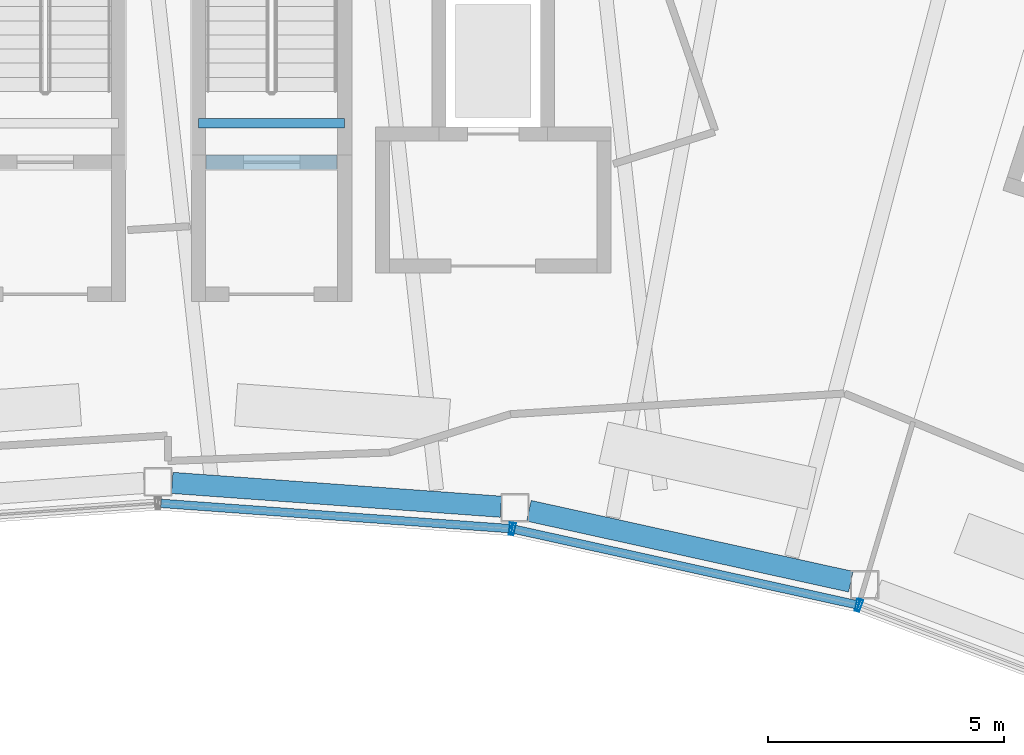
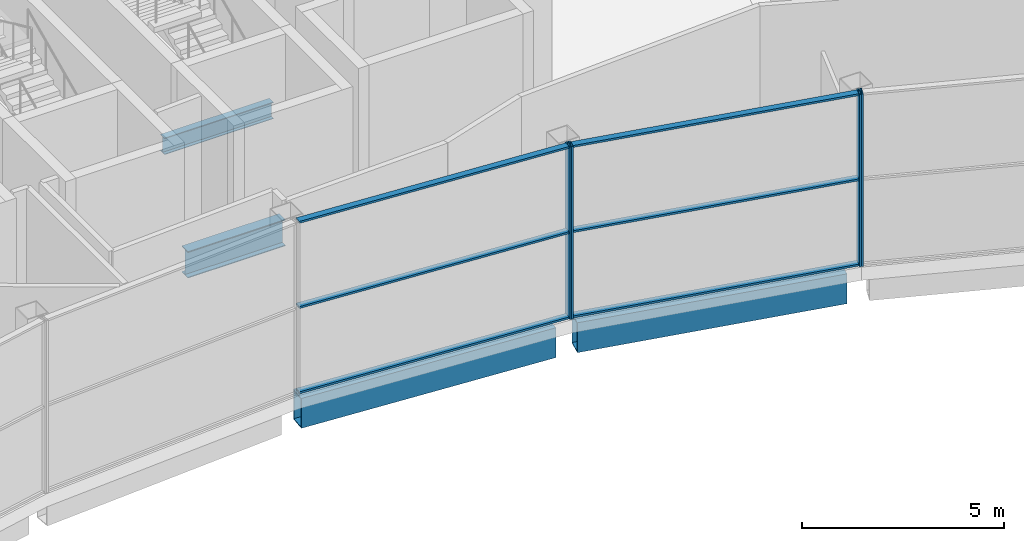
# One storey, part 20 of 44: 10 members, 4 beams, 3 elements without a shape of their own.
"""IFC4 building model written with IfcOpenShell, lengths in metres."""

from ifc_helpers import new_model, si_unit, direction, frame, origin, origin_2d, place, context, subcontext, project, spatial, hollow_rectangle, i_section, extrude, material, layer, layer_set, material_profile, profile_set, type_object, element, aggregate, save


model = new_model("IFC4")

# Units and contexts
model_context = context("Model", 3, precision=1e-05, world=origin(), true_north=direction((0.0, 1.0)))
body_context = subcontext(model_context, "Body", "Model", "MODEL_VIEW")
ifc_project = project(units=[si_unit("LENGTHUNIT", "METRE"), si_unit("AREAUNIT", "SQUARE_METRE"), si_unit("VOLUMEUNIT", "CUBIC_METRE"), si_unit("PLANEANGLEUNIT", "RADIAN"), si_unit("MASSUNIT", "GRAM", prefix="KILO")], contexts=[model_context])

# Site, building, storey
site_placement = place(None, origin())
site = spatial("IfcSite", under=ifc_project, at=site_placement, CompositionType="ELEMENT")
building_placement = place(site_placement, origin())
building = spatial("IfcBuilding", under=site, at=building_placement, Name="Tuul Gate Civic Tower", CompositionType="ELEMENT")
storey_placement = place(building_placement, frame((0.0, 0.0, 354.60009765625)))
storey = spatial("IfcBuildingStorey", under=building, at=storey_placement, Name="Observation level 2", CompositionType="ELEMENT", Elevation=354.60009765625)

# Curtain wall, member
ifc_material_1 = material(Name="Stainless steel", Category="steel")
ifc_layer = layer(ifc_material_1, 0.199951171875)
ifc_layer_set = layer_set([ifc_layer], Name="Stainless steel")
curtain_wall_type = type_object("IfcCurtainWallType", Name="Curtain wall CW4", PredefinedType="NOTDEFINED", material=ifc_layer_set)
curtain_wall_1_placement = place(storey_placement, origin())
curtain_wall_1 = element("IfcCurtainWall", 1, at=curtain_wall_1_placement, inside=storey, type_object=curtain_wall_type, Name="Curtain wall CW4", PredefinedType="NOTDEFINED")
ifc_material_2 = material(Name="Stainless steel", Category="steel")
ifc_material_profile_1 = material_profile(ifc_material_2, hollow_rectangle(XDim=0.260009765625, YDim=0.06005859375, WallThickness=0.006103515625, at=origin_2d()), Name="CW4 mullion")
ifc_profile_set_1 = profile_set([ifc_material_profile_1], Name="Stainless steel")
member_type_1 = type_object("IfcMemberType", Name="CW4 mullion", PredefinedType="MULLION", material=ifc_profile_set_1)
member_1_placement = place(storey_placement, frame((9.669189453125, -8.520751953125, 0.0), z_axis=(0.0, 0.0, 1.0), x_axis=(0.072276176045, 0.997384657179, 0.0)))
member_1 = element("IfcMember", 2, at=member_1_placement, type_object=member_type_1, Name="Mullion", PredefinedType="MULLION", context=body_context, shape_type="SweptSolid", body=[
    extrude(hollow_rectangle(XDim=0.260009765625, YDim=0.06005859375, WallThickness=0.006103515625, at=origin_2d()), origin(), (0.0, 0.0, 1.0), 5.199951171875),
])

# Curtain wall, members
curtain_wall_2_placement = place(storey_placement, origin())
curtain_wall_2 = element("IfcCurtainWall", 3, at=curtain_wall_2_placement, inside=storey, type_object=curtain_wall_type, Name="Curtain wall CW4", PredefinedType="NOTDEFINED")
member_2_placement = place(storey_placement, frame((9.728271484375, -8.529541015625, 0.0), z_axis=(0.0, 0.0, 1.0), x_axis=(0.215241961183, 0.976560749849, 0.0)))
member_2 = element("IfcMember", 4, at=member_2_placement, type_object=member_type_1, Name="Mullion", PredefinedType="MULLION", context=body_context, shape_type="SweptSolid", body=[
    extrude(hollow_rectangle(XDim=0.260009765625, YDim=0.06005859375, WallThickness=0.006103515625, at=origin_2d()), origin(), (0.0, 0.0, 1.0), 5.199951171875),
])
member_3_placement = place(storey_placement, frame((17.019775390625, -10.136474609375, 0.0), z_axis=(0.0, 0.0, 1.0), x_axis=(0.215241961183, 0.976560749849, 0.0)))
member_3 = element("IfcMember", 5, at=member_3_placement, type_object=member_type_1, Name="Mullion", PredefinedType="MULLION", context=body_context, shape_type="SweptSolid", body=[
    extrude(hollow_rectangle(XDim=0.260009765625, YDim=0.06005859375, WallThickness=0.006103515625, at=origin_2d()), origin(), (0.0, 0.0, 1.0), 5.199951171875),
])

# Curtain wall, member
curtain_wall_3_placement = place(storey_placement, origin())
curtain_wall_3 = element("IfcCurtainWall", 6, at=curtain_wall_3_placement, inside=storey, type_object=curtain_wall_type, Name="Curtain wall CW4", PredefinedType="NOTDEFINED")
member_4_placement = place(storey_placement, frame((17.0771484375, -10.153564453125, 0.0), z_axis=(0.0, 0.0, 1.0), x_axis=(0.353684769481, 0.935364679597, 0.0)))
member_4 = element("IfcMember", 7, at=member_4_placement, type_object=member_type_1, Name="Mullion", PredefinedType="MULLION", context=body_context, shape_type="SweptSolid", body=[
    extrude(hollow_rectangle(XDim=0.260009765625, YDim=0.06005859375, WallThickness=0.006103515625, at=origin_2d()), origin(), (0.0, 0.0, 1.0), 5.199951171875),
])
aggregate(curtain_wall_3, [member_4])

# Member
ifc_material_3 = material(Name="Stainless steel", Category="steel")
ifc_material_profile_2 = material_profile(ifc_material_3, hollow_rectangle(XDim=0.179931640625, YDim=0.06005859375, WallThickness=0.006103515625, at=origin_2d()), Name="CW4 transom")
ifc_profile_set_2 = profile_set([ifc_material_profile_2], Name="Stainless steel")
member_type_2 = type_object("IfcMemberType", Name="CW4 transom", PredefinedType="USERDEFINED", material=ifc_profile_set_2)
member_5_placement = place(storey_placement, frame((2.251953125, -7.9833984375, 0.02978515625), z_axis=(0.997386242121, -0.072254301102, 0.0), x_axis=(0.072254301102, 0.997386242121, 0.0)))
member_5 = element("IfcMember", 8, at=member_5_placement, type_object=member_type_2, Name="Transom", ObjectType="TRANSOM", PredefinedType="USERDEFINED", context=body_context, shape_type="SweptSolid", body=[
    extrude(hollow_rectangle(XDim=0.179931640625, YDim=0.06005859375, WallThickness=0.006103515625, at=origin_2d()), origin(), (0.0, 0.0, 1.0), 7.406494140625),
])

member_6_placement = place(storey_placement, frame((2.251953125, -7.9833984375, 2.599853515625), z_axis=(0.997386242121, -0.072254301102, 0.0), x_axis=(0.072254301102, 0.997386242121, 0.0)))
member_6 = element("IfcMember", 9, at=member_6_placement, type_object=member_type_2, Name="Transom", ObjectType="TRANSOM", PredefinedType="USERDEFINED", context=body_context, shape_type="SweptSolid", body=[
    extrude(hollow_rectangle(XDim=0.179931640625, YDim=0.06005859375, WallThickness=0.006103515625, at=origin_2d()), origin(), (0.0, 0.0, 1.0), 7.406494140625),
])

member_7_placement = place(storey_placement, frame((2.251953125, -7.9833984375, 5.169921875), z_axis=(0.997386242121, -0.072254301102, 0.0), x_axis=(0.072254301102, 0.997386242121, 0.0)))
member_7 = element("IfcMember", 10, at=member_7_placement, type_object=member_type_2, Name="Transom", ObjectType="TRANSOM", PredefinedType="USERDEFINED", context=body_context, shape_type="SweptSolid", body=[
    extrude(hollow_rectangle(XDim=0.179931640625, YDim=0.06005859375, WallThickness=0.006103515625, at=origin_2d()), origin(), (0.0, 0.0, 1.0), 7.406494140625),
])

aggregate(curtain_wall_1, [member_1, member_5, member_6, member_7])

member_8_placement = place(storey_placement, frame((9.757568359375, -8.535888671875, 0.02978515625), z_axis=(0.976559448931, -0.215247863414, 0.0), x_axis=(0.215247863414, 0.976559448931, 0.0)))
member_8 = element("IfcMember", 11, at=member_8_placement, type_object=member_type_2, Name="Transom", ObjectType="TRANSOM", PredefinedType="USERDEFINED", context=body_context, shape_type="SweptSolid", body=[
    extrude(hollow_rectangle(XDim=0.179931640625, YDim=0.06005859375, WallThickness=0.006103515625, at=origin_2d()), origin(), (0.0, 0.0, 1.0), 7.406494140625),
])

member_9_placement = place(storey_placement, frame((9.757568359375, -8.535888671875, 2.599853515625), z_axis=(0.976559448931, -0.215247863414, 0.0), x_axis=(0.215247863414, 0.976559448931, 0.0)))
member_9 = element("IfcMember", 12, at=member_9_placement, type_object=member_type_2, Name="Transom", ObjectType="TRANSOM", PredefinedType="USERDEFINED", context=body_context, shape_type="SweptSolid", body=[
    extrude(hollow_rectangle(XDim=0.179931640625, YDim=0.06005859375, WallThickness=0.006103515625, at=origin_2d()), origin(), (0.0, 0.0, 1.0), 7.406494140625),
])

member_10_placement = place(storey_placement, frame((9.757568359375, -8.535888671875, 5.169921875), z_axis=(0.976559448931, -0.215247863414, 0.0), x_axis=(0.215247863414, 0.976559448931, 0.0)))
member_10 = element("IfcMember", 13, at=member_10_placement, type_object=member_type_2, Name="Transom", ObjectType="TRANSOM", PredefinedType="USERDEFINED", context=body_context, shape_type="SweptSolid", body=[
    extrude(hollow_rectangle(XDim=0.179931640625, YDim=0.06005859375, WallThickness=0.006103515625, at=origin_2d()), origin(), (0.0, 0.0, 1.0), 7.406494140625),
])

aggregate(curtain_wall_2, [member_2, member_3, member_8, member_9, member_10])

# Beams
ifc_material_4 = material(Name="Steel S355", Category="steel")
ifc_material_profile_3 = material_profile(ifc_material_4, i_section(OverallWidth=0.199951171875, OverallDepth=0.5, WebThickness=0.010009765625, FlangeThickness=0.01611328125, at=origin_2d()), Name="PG500x200x10x16")
ifc_profile_set_3 = profile_set([ifc_material_profile_3], Name="Steel S355")
beam_type_1 = type_object("IfcBeamType", Name="STR-FLOOR BEAM-PG500x200x10x16", PredefinedType="BEAM", material=ifc_profile_set_3)
beam_1_placement = place(storey_placement, frame((3.050048828125, 0.074951171875, 2.2998046875), z_axis=(1.0, 0.0, 0.0), x_axis=(0.0, 1.0, 0.0)))
element("IfcBeam", 14, at=beam_1_placement, inside=storey, type_object=beam_type_1, Name="Landing support beam", PredefinedType="BEAM", context=body_context, shape_type="SweptSolid", body=[
    extrude(i_section(OverallWidth=0.199951171875, OverallDepth=0.5, WebThickness=0.010009765625, FlangeThickness=0.01611328125, at=origin_2d()), origin(), (0.0, 0.0, 1.0), 3.099853515625),
])
ifc_material_5 = material(Name="Steel S355", Category="steel")
ifc_material_profile_4 = material_profile(ifc_material_5, i_section(OverallWidth=0.300048828125, OverallDepth=0.800048828125, WebThickness=0.013916015625, FlangeThickness=0.02490234375, at=origin_2d()), Name="PG800x300x14x25")
ifc_profile_set_4 = profile_set([ifc_material_profile_4], Name="Steel S355")
beam_type_2 = type_object("IfcBeamType", Name="STR-FLOOR BEAM-PG800x300x14x25", PredefinedType="BEAM", material=ifc_profile_set_4)
beam_2_placement = place(storey_placement, frame((3.2099609375, -0.75, -0.800048828125), z_axis=(1.0, 0.0, 0.0), x_axis=(0.0, 1.0, 0.0)))
element("IfcBeam", 15, at=beam_2_placement, inside=storey, type_object=beam_type_2, Name="Floor beam", PredefinedType="BEAM", context=body_context, shape_type="SweptSolid", body=[
    extrude(i_section(OverallWidth=0.300048828125, OverallDepth=0.800048828125, WebThickness=0.013916015625, FlangeThickness=0.02490234375, at=origin_2d()), origin(), (0.0, 0.0, 1.0), 2.780029296875),
])
ifc_material_6 = material(Name="Steel S355", Category="steel")
ifc_material_profile_5 = material_profile(ifc_material_6, hollow_rectangle(XDim=0.449951171875, YDim=0.89990234375, WallThickness=0.02490234375, at=origin_2d()), Name="BOX900x450x25")
ifc_profile_set_5 = profile_set([ifc_material_profile_5], Name="Steel S355")
beam_type_3 = type_object("IfcBeamType", Name="STR-SPANDREL BEAM-BOX900x450x25", PredefinedType="BEAM", material=ifc_profile_set_5)
beam_3_placement = place(storey_placement, frame((2.4912109375, -7.5498046875, -0.85009765625), z_axis=(0.99738191337, -0.072314029638, 0.0), x_axis=(0.072314029638, 0.99738191337, 0.0)))
element("IfcBeam", 16, at=beam_3_placement, inside=storey, type_object=beam_type_3, Name="Spandrel beam", PredefinedType="BEAM", context=body_context, shape_type="SweptSolid", body=[
    extrude(hollow_rectangle(XDim=0.449951171875, YDim=0.89990234375, WallThickness=0.02490234375, at=origin_2d()), origin(), (0.0, 0.0, 1.0), 6.991943359375),
])
beam_4_placement = place(storey_placement, frame((10.056884765625, -8.1416015625, -0.85009765625), z_axis=(0.976592853912, -0.215096252149, 0.0), x_axis=(0.215096252149, 0.976592853912, 0.0)))
element("IfcBeam", 17, at=beam_4_placement, inside=storey, type_object=beam_type_3, Name="Spandrel beam", PredefinedType="BEAM", context=body_context, shape_type="SweptSolid", body=[
    extrude(hollow_rectangle(XDim=0.449951171875, YDim=0.89990234375, WallThickness=0.02490234375, at=origin_2d()), origin(), (0.0, 0.0, 1.0), 6.99169921875),
])

save(model, "model.ifc")
